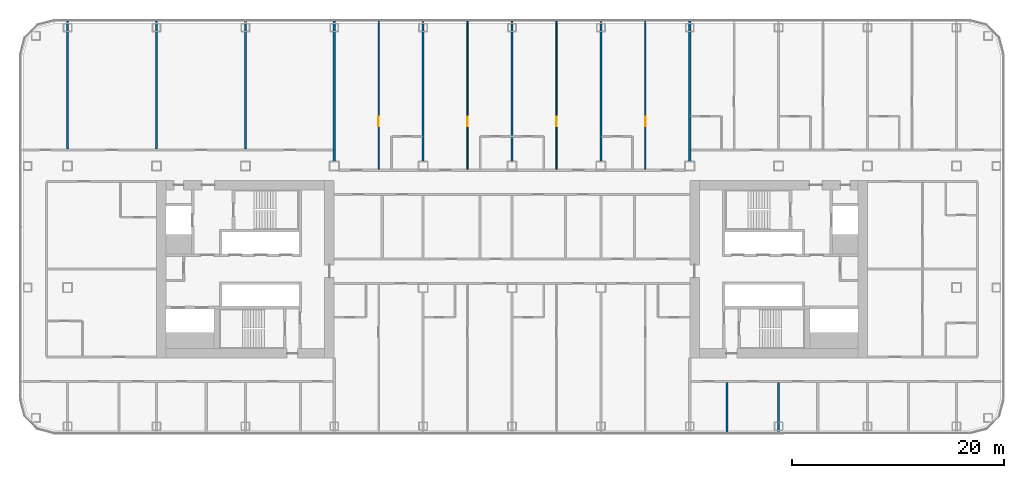
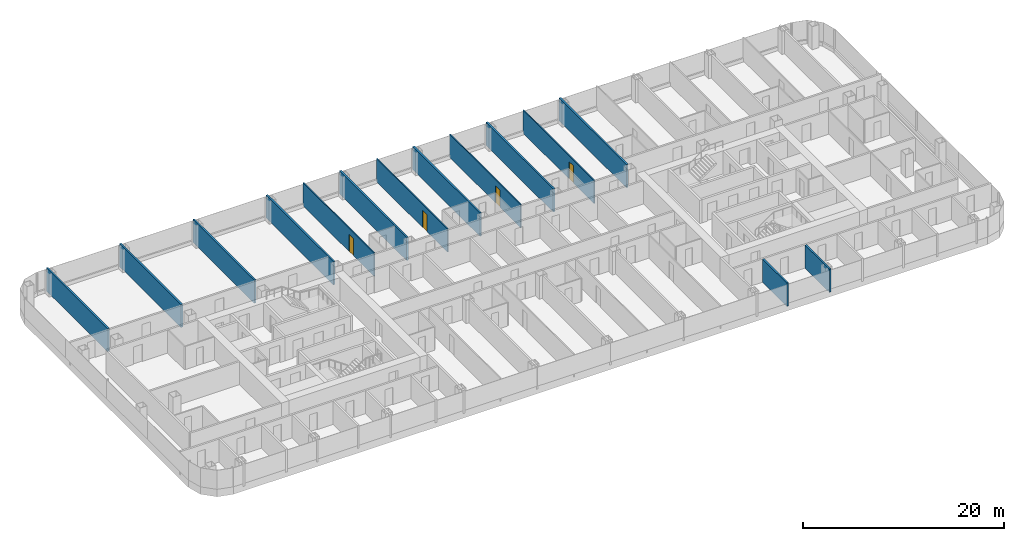
# One storey, part 18 of 29: 14 walls, 4 doors, 4 openings.
"""IFC4 building model written with IfcOpenShell, lengths in metres."""

from ifc_helpers import new_model, si_unit, direction, frame, frame_2d, origin, place, context, subcontext, project, spatial, rectangle, extrude, material, layer, layer_set, type_object, element, fill, save


model = new_model("IFC4")

# Units and contexts
model_context = context("Model", 3, precision=1e-05, world=origin(), true_north=direction((0.0, 1.0)))
body_context = subcontext(model_context, "Body", "Model", "MODEL_VIEW")
ifc_project = project(units=[si_unit("LENGTHUNIT", "METRE"), si_unit("AREAUNIT", "SQUARE_METRE"), si_unit("VOLUMEUNIT", "CUBIC_METRE"), si_unit("PLANEANGLEUNIT", "RADIAN"), si_unit("MASSUNIT", "GRAM", prefix="KILO")], contexts=[model_context])

# Site, building, storey
site_placement = place(None, origin())
site = spatial("IfcSite", under=ifc_project, at=site_placement, CompositionType="ELEMENT")
building_placement = place(site_placement, origin())
building = spatial("IfcBuilding", under=site, at=building_placement, Name="Hakoniwa Tower and Hamabe Station Hall", CompositionType="ELEMENT")
storey_placement = place(building_placement, frame((0.0, 0.0, 88.199951171875)))
storey = spatial("IfcBuildingStorey", under=building, at=storey_placement, Name="L24", CompositionType="ELEMENT", Elevation=88.199951171875)

# Walls
ifc_material_1 = material(Name="Fire-rated gypsum board partition", Category="gypsum")
ifc_layer_1 = layer(ifc_material_1, 0.199951171875)
ifc_layer_set_1 = layer_set([ifc_layer_1], Name="Party Wall 200")
wall_type_1 = type_object("IfcWallType", Name="Party Wall 200", PredefinedType="PARTITIONING", material=ifc_layer_set_1)
for number, where, z_axis, x_axis, name in (
    (1, (-42.0, 11.35009765625, 0.0), (0.0, 0.0, 1.0), (0.0, 1.0, 0.0), "GW-L24-031"),
    (2, (-33.60009765625, 11.35009765625, 0.0), (0.0, 0.0, 1.0), (0.0, 1.0, 0.0), "GW-L24-036"),
    (3, (-25.199951171875, 11.35009765625, 0.0), (0.0, 0.0, 1.0), (0.0, 1.0, 0.0), "GW-L24-039"),
):
    element("IfcWall", number, at=place(storey_placement, frame(where, z_axis=z_axis, x_axis=x_axis)), inside=storey, type_object=wall_type_1, Name=name, PredefinedType="PARTITIONING", context=body_context, shape_type="SweptSolid", body=[
        extrude(rectangle(XDim=12.199951171875, YDim=0.199951171875, at=frame_2d((6.10009765625, 0.0))), origin(), (0.0, 0.0, 1.0), 2.800048828125),
    ])
for number, where, z_axis, x_axis, name in (
    (4, (-16.800048828125, 10.18994140625, 0.0), (0.0, 0.0, 1.0), (0.0, 1.0, 0.0), "GW-L24-042"),
    (5, (-8.39990234375, 10.18994140625, 0.0), (0.0, 0.0, 1.0), (0.0, 1.0, 0.0), "GW-L24-050"),
    (6, (0.0, 10.18994140625, 0.0), (0.0, 0.0, 1.0), (0.0, 1.0, 0.0), "GW-L24-058"),
    (7, (8.39990234375, 10.18994140625, 0.0), (0.0, 0.0, 1.0), (0.0, 1.0, 0.0), "GW-L24-066"),
    (8, (16.800048828125, 10.18994140625, 0.0), (0.0, 0.0, 1.0), (0.0, 1.0, 0.0), "GW-L24-073"),
):
    element("IfcWall", number, at=place(storey_placement, frame(where, z_axis=z_axis, x_axis=x_axis)), inside=storey, type_object=wall_type_1, Name=name, PredefinedType="PARTITIONING", context=body_context, shape_type="SweptSolid", body=[
        extrude(rectangle(XDim=13.360107421875, YDim=0.199951171875, at=frame_2d((6.68017578125, 0.0))), origin(), (0.0, 0.0, 1.0), 2.800048828125),
    ])
for number, where, z_axis, x_axis, name in (
    (9, (20.330078125, -15.550048828125, 0.0), (0.0, 0.0, 1.0), (0.0, 1.0, 0.0), "GW-L24-075"),
    (10, (25.199951171875, -15.550048828125, 0.0), (0.0, 0.0, 1.0), (0.0, 1.0, 0.0), "GW-L24-077"),
):
    element("IfcWall", number, at=place(storey_placement, frame(where, z_axis=z_axis, x_axis=x_axis)), inside=storey, type_object=wall_type_1, Name=name, PredefinedType="PARTITIONING", context=body_context, shape_type="SweptSolid", body=[
        extrude(rectangle(XDim=4.85009765625, YDim=0.199951171875, at=frame_2d((2.425048828125, 0.0))), origin(), (0.0, 0.0, 1.0), 2.800048828125),
    ])

# Wall, opening, door
ifc_material_2 = material(Name="Gypsum board partition", Category="gypsum")
ifc_layer_2 = layer(ifc_material_2, 0.125)
ifc_layer_set_2 = layer_set([ifc_layer_2], Name="Room Partition 125")
wall_type_2 = type_object("IfcWallType", Name="Room Partition 125", PredefinedType="PARTITIONING", material=ifc_layer_set_2)
wall_1_placement = place(storey_placement, frame((-12.60009765625, 9.449951171875, 0.0), z_axis=(0.0, 0.0, 1.0), x_axis=(0.0, 1.0, 0.0)))
wall_1 = element("IfcWall", 11, at=wall_1_placement, inside=storey, type_object=wall_type_2, Name="GW-L24-045", PredefinedType="PARTITIONING", context=body_context, shape_type="SweptSolid", body=[
    extrude(rectangle(XDim=14.10009765625, YDim=0.125, at=frame_2d((7.050048828125, 0.0))), origin(), (0.0, 0.0, 1.0), 2.800048828125),
])
opening_1_placement = place(wall_1_placement, frame((4.050048828125, 0.0, 0.0)))
opening_1 = element("IfcOpeningElement", 12, at=opening_1_placement, cuts=wall_1, Name="Opening GD-G2E0-59", PredefinedType="OPENING", context=body_context, shape_type="SweptSolid", body=[
    extrude(rectangle(XDim=0.89990234375, YDim=2.10009765625, at=frame_2d((0.449951171875, 1.050048828125))), frame((0.0, 0.072509765625, 0.0), z_axis=(0.0, -1.0, 0.0), x_axis=(1.0, 0.0, 0.0)), (0.0, 0.0, 1.0), 0.14501953125),
])
ifc_material_3 = material(Name="Timber door leaf", Category="wood")
door_type = type_object("IfcDoorType", Name="Suite Interior Door 900", OperationType="SINGLE_SWING_LEFT", PredefinedType="DOOR", material=ifc_material_3)
door_1_placement = place(opening_1_placement, origin())
door_1 = element("IfcDoor", 13, at=door_1_placement, inside=storey, type_object=door_type, Name="Door GD-G2E0-59", OperationType="SINGLE_SWING_RIGHT", OverallHeight=2.10009765625, OverallWidth=0.89990234375, PredefinedType="DOOR", context=body_context, shape_type="SweptSolid", body=[
    extrude(rectangle(XDim=0.89990234375, YDim=2.10009765625, at=frame_2d((0.449951171875, 1.050048828125))), frame((0.0, 0.02490234375, 0.0), z_axis=(0.0, -1.0, 0.0), x_axis=(1.0, 0.0, 0.0)), (0.0, 0.0, 1.0), 0.050048828125),
])
fill(opening_1, door_1)

wall_2_placement = place(storey_placement, frame((-4.199951171875, 9.449951171875, 0.0), z_axis=(0.0, 0.0, 1.0), x_axis=(0.0, 1.0, 0.0)))
wall_2 = element("IfcWall", 14, at=wall_2_placement, inside=storey, type_object=wall_type_2, Name="GW-L24-053", PredefinedType="PARTITIONING", context=body_context, shape_type="SweptSolid", body=[
    extrude(rectangle(XDim=14.10009765625, YDim=0.125, at=frame_2d((7.050048828125, 0.0))), origin(), (0.0, 0.0, 1.0), 2.800048828125),
])
opening_2_placement = place(wall_2_placement, frame((4.050048828125, 0.0, 0.0)))
opening_2 = element("IfcOpeningElement", 15, at=opening_2_placement, cuts=wall_2, Name="Opening GD-G2E0-61", PredefinedType="OPENING", context=body_context, shape_type="SweptSolid", body=[
    extrude(rectangle(XDim=0.89990234375, YDim=2.10009765625, at=frame_2d((0.449951171875, 1.050048828125))), frame((0.0, 0.072509765625, 0.0), z_axis=(0.0, -1.0, 0.0), x_axis=(1.0, 0.0, 0.0)), (0.0, 0.0, 1.0), 0.14501953125),
])
door_2_placement = place(opening_2_placement, origin())
door_2 = element("IfcDoor", 16, at=door_2_placement, inside=storey, type_object=door_type, Name="Door GD-G2E0-61", OperationType="SINGLE_SWING_LEFT", OverallHeight=2.10009765625, OverallWidth=0.89990234375, PredefinedType="DOOR", context=body_context, shape_type="SweptSolid", body=[
    extrude(rectangle(XDim=0.89990234375, YDim=2.10009765625, at=frame_2d((0.449951171875, 1.050048828125))), frame((0.0, 0.02490234375, 0.0), z_axis=(0.0, -1.0, 0.0), x_axis=(1.0, 0.0, 0.0)), (0.0, 0.0, 1.0), 0.050048828125),
])
fill(opening_2, door_2)

wall_3_placement = place(storey_placement, frame((4.199951171875, 9.449951171875, 0.0), z_axis=(0.0, 0.0, 1.0), x_axis=(0.0, 1.0, 0.0)))
wall_3 = element("IfcWall", 17, at=wall_3_placement, inside=storey, type_object=wall_type_2, Name="GW-L24-062", PredefinedType="PARTITIONING", context=body_context, shape_type="SweptSolid", body=[
    extrude(rectangle(XDim=14.10009765625, YDim=0.125, at=frame_2d((7.050048828125, 0.0))), origin(), (0.0, 0.0, 1.0), 2.800048828125),
])
opening_3_placement = place(wall_3_placement, frame((4.050048828125, 0.0, 0.0)))
opening_3 = element("IfcOpeningElement", 18, at=opening_3_placement, cuts=wall_3, Name="Opening GD-G2E0-63", PredefinedType="OPENING", context=body_context, shape_type="SweptSolid", body=[
    extrude(rectangle(XDim=0.89990234375, YDim=2.10009765625, at=frame_2d((0.449951171875, 1.050048828125))), frame((0.0, 0.072509765625, 0.0), z_axis=(0.0, -1.0, 0.0), x_axis=(1.0, 0.0, 0.0)), (0.0, 0.0, 1.0), 0.14501953125),
])
door_3_placement = place(opening_3_placement, origin())
door_3 = element("IfcDoor", 19, at=door_3_placement, inside=storey, type_object=door_type, Name="Door GD-G2E0-63", OperationType="SINGLE_SWING_RIGHT", OverallHeight=2.10009765625, OverallWidth=0.89990234375, PredefinedType="DOOR", context=body_context, shape_type="SweptSolid", body=[
    extrude(rectangle(XDim=0.89990234375, YDim=2.10009765625, at=frame_2d((0.449951171875, 1.050048828125))), frame((0.0, 0.02490234375, 0.0), z_axis=(0.0, -1.0, 0.0), x_axis=(1.0, 0.0, 0.0)), (0.0, 0.0, 1.0), 0.050048828125),
])
fill(opening_3, door_3)

wall_4_placement = place(storey_placement, frame((12.60009765625, 9.449951171875, 0.0), z_axis=(0.0, 0.0, 1.0), x_axis=(0.0, 1.0, 0.0)))
wall_4 = element("IfcWall", 20, at=wall_4_placement, inside=storey, type_object=wall_type_2, Name="GW-L24-070", PredefinedType="PARTITIONING", context=body_context, shape_type="SweptSolid", body=[
    extrude(rectangle(XDim=14.10009765625, YDim=0.125, at=frame_2d((7.050048828125, 0.0))), origin(), (0.0, 0.0, 1.0), 2.800048828125),
])
opening_4_placement = place(wall_4_placement, frame((4.050048828125, 0.0, 0.0)))
opening_4 = element("IfcOpeningElement", 21, at=opening_4_placement, cuts=wall_4, Name="Opening GD-G2E0-65", PredefinedType="OPENING", context=body_context, shape_type="SweptSolid", body=[
    extrude(rectangle(XDim=0.89990234375, YDim=2.10009765625, at=frame_2d((0.449951171875, 1.050048828125))), frame((0.0, 0.072509765625, 0.0), z_axis=(0.0, -1.0, 0.0), x_axis=(1.0, 0.0, 0.0)), (0.0, 0.0, 1.0), 0.14501953125),
])
door_4_placement = place(opening_4_placement, origin())
door_4 = element("IfcDoor", 22, at=door_4_placement, inside=storey, type_object=door_type, Name="Door GD-G2E0-65", OperationType="SINGLE_SWING_RIGHT", OverallHeight=2.10009765625, OverallWidth=0.89990234375, PredefinedType="DOOR", context=body_context, shape_type="SweptSolid", body=[
    extrude(rectangle(XDim=0.89990234375, YDim=2.10009765625, at=frame_2d((0.449951171875, 1.050048828125))), frame((0.0, 0.02490234375, 0.0), z_axis=(0.0, -1.0, 0.0), x_axis=(1.0, 0.0, 0.0)), (0.0, 0.0, 1.0), 0.050048828125),
])
fill(opening_4, door_4)

save(model, "model.ifc")
